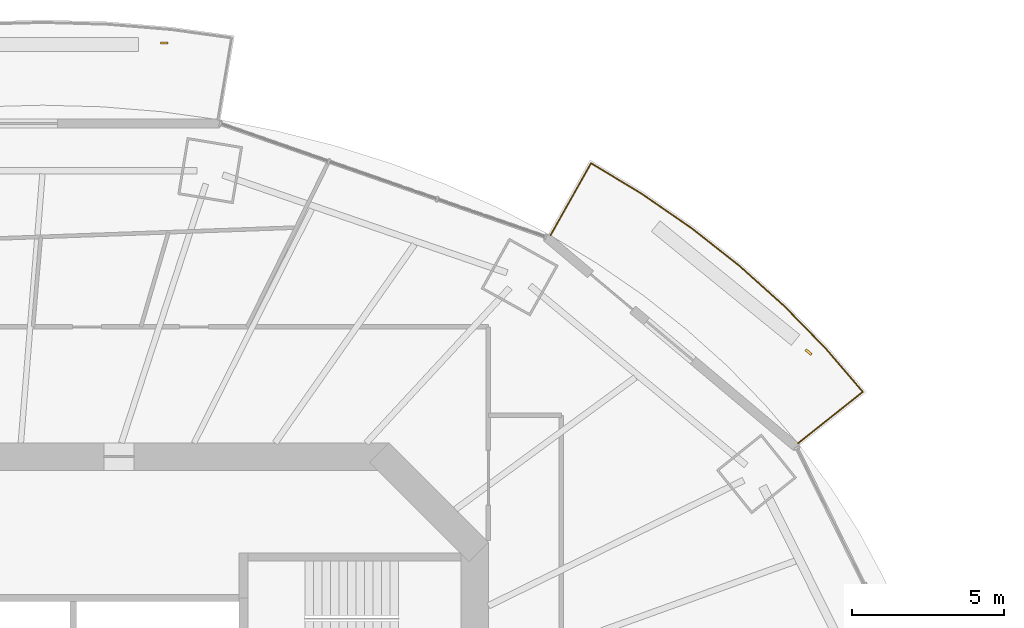
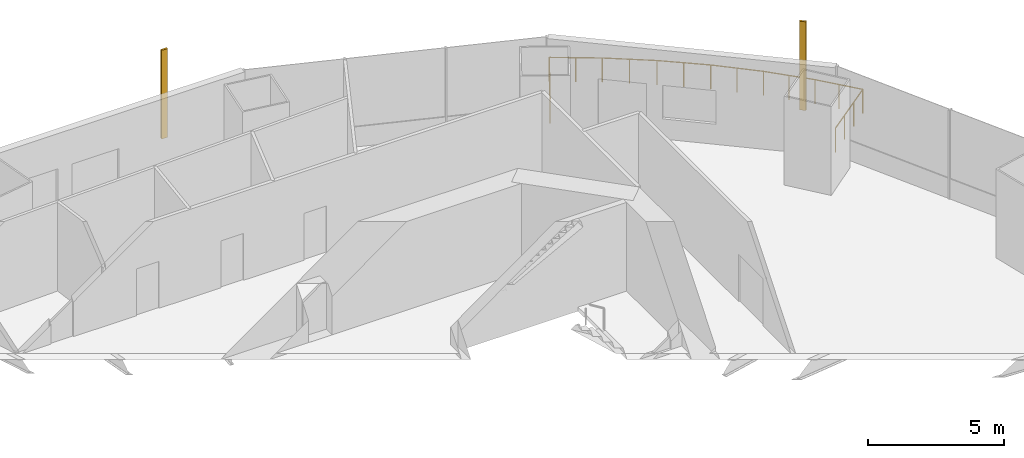
# One storey, part 18 of 19: 2 shading devices, 1 railing.
"""IFC4 building model written with IfcOpenShell, lengths in metres."""

from ifc_helpers import new_model, si_unit, direction, frame, origin, origin_2d, place, context, subcontext, project, spatial, rectangle, circle, extrude, material, material_profile, profile_set, type_object, element, save


model = new_model("IFC4")

# Units and contexts
model_context = context("Model", 3, precision=1e-05, world=origin(), true_north=direction((0.0, 1.0)))
body_context = subcontext(model_context, "Body", "Model", "MODEL_VIEW")
ifc_project = project(units=[si_unit("LENGTHUNIT", "METRE"), si_unit("AREAUNIT", "SQUARE_METRE"), si_unit("VOLUMEUNIT", "CUBIC_METRE"), si_unit("PLANEANGLEUNIT", "RADIAN"), si_unit("MASSUNIT", "GRAM", prefix="KILO")], contexts=[model_context])

# Site, building, storey
site_placement = place(None, origin())
site = spatial("IfcSite", under=ifc_project, at=site_placement, CompositionType="ELEMENT")
building_placement = place(site_placement, origin())
building = spatial("IfcBuilding", under=site, at=building_placement, Name="Marenthal Gate Tower", CompositionType="ELEMENT")
storey_placement = place(building_placement, frame((0.0, 0.0, 248.199951171875)))
storey = spatial("IfcBuildingStorey", under=building, at=storey_placement, Name="L55", CompositionType="ELEMENT", Elevation=248.199951171875)

# Railing
ifc_material_1 = material(Name="Stainless steel", Category="steel")
railing_type = type_object("IfcRailingType", Name="Balcony guard 1100", PredefinedType="GUARDRAIL", material=ifc_material_1)
railing_placement = place(storey_placement, frame((18.494140625, 20.275634765625, 0.0)))
element("IfcRailing", 1, at=railing_placement, inside=storey, type_object=railing_type, Name="Balcony guard L55 bay 2", PredefinedType="GUARDRAIL", context=body_context, shape_type="SweptSolid", body=[
    extrude(circle(Radius=0.02392578125, at=origin_2d()), frame((0.0, 0.0, 1.076171875), z_axis=(0.489935400912, 0.871634477681, -0.014718704112), x_axis=(-0.87172890858, 0.489988479401, 0.0)), (0.0, 0.0, 1.0), 2.72021484375),
    extrude(circle(Radius=0.02392578125, at=origin_2d()), frame((1.332763671875, 2.37109375, 1.0361328125), z_axis=(0.855927117695, -0.517096479581, 0.0), x_axis=(0.517096479581, 0.855927117695, 0.0)), (0.0, 0.0, 1.0), 1.94482421875),
    extrude(circle(Radius=0.02392578125, at=origin_2d()), frame((2.997314453125, 1.365478515625, 1.0361328125), z_axis=(0.823079547335, -0.567926103256, 0.0), x_axis=(0.567926103256, 0.823079547335, 0.0)), (0.0, 0.0, 1.0), 2.00830078125),
    extrude(circle(Radius=0.02392578125, at=origin_2d()), frame((4.650390625, 0.224853515625, 1.0361328125), z_axis=(0.785663114819, -0.618654564367, 0.0), x_axis=(0.618654564367, 0.785663114819, 0.0)), (0.0, 0.0, 1.0), 1.992431640625),
    extrude(circle(Radius=0.02392578125, at=origin_2d()), frame((6.2158203125, -1.0078125, 1.0361328125), z_axis=(0.744196610974, -0.667960630737, 0.0), x_axis=(0.667960630737, 0.744196610974, 0.0)), (0.0, 0.0, 1.0), 1.975830078125),
    extrude(circle(Radius=0.02392578125, at=origin_2d()), frame((7.686279296875, -2.32763671875, 1.0361328125), z_axis=(0.698521536326, -0.715589032398, 0.0), x_axis=(0.715589032398, 0.698521536326, 0.0)), (0.0, 0.0, 1.0), 1.959716796875),
    extrude(circle(Radius=0.02392578125, at=origin_2d()), frame((9.05517578125, -3.72998046875, 1.0361328125), z_axis=(0.649809223688, -0.760097344298, 0.0), x_axis=(0.760097344298, 0.649809223688, 0.0)), (0.0, 0.0, 1.0), 1.864013671875),
    extrude(circle(Radius=0.02392578125, at=origin_2d()), frame((10.266357421875, -5.146728515625, 1.0361328125), z_axis=(-0.783055581805, -0.621777543925, 0.014718752483), x_axis=(0.621844906334, -0.783140416826, 0.0)), (0.0, 0.0, 1.0), 2.72021484375),
    extrude(circle(Radius=0.02099609375, at=origin_2d()), origin(), (0.0, 0.0, 1.0), 1.052001953125),
    extrude(circle(Radius=0.02099609375, at=origin_2d()), frame((0.4443359375, 0.790283203125, -0.013427734375)), (0.0, 0.0, 1.0), 1.052001953125),
    extrude(circle(Radius=0.02099609375, at=origin_2d()), frame((0.888427734375, 1.580810546875, -0.026611328125)), (0.0, 0.0, 1.0), 1.052001953125),
    extrude(circle(Radius=0.02099609375, at=origin_2d()), frame((1.332763671875, 2.37109375, -0.0400390625)), (0.0, 0.0, 1.0), 1.052001953125),
    extrude(circle(Radius=0.02099609375, at=origin_2d()), frame((2.1650390625, 1.8681640625, -0.0400390625)), (0.0, 0.0, 1.0), 1.052001953125),
    extrude(circle(Radius=0.02099609375, at=origin_2d()), frame((2.997314453125, 1.365478515625, -0.0400390625)), (0.0, 0.0, 1.0), 1.052001953125),
    extrude(circle(Radius=0.02099609375, at=origin_2d()), frame((3.82373046875, 0.795166015625, -0.0400390625)), (0.0, 0.0, 1.0), 1.052001953125),
    extrude(circle(Radius=0.02099609375, at=origin_2d()), frame((4.650390625, 0.224853515625, -0.0400390625)), (0.0, 0.0, 1.0), 1.052001953125),
    extrude(circle(Radius=0.02099609375, at=origin_2d()), frame((5.43310546875, -0.3916015625, -0.0400390625)), (0.0, 0.0, 1.0), 1.052001953125),
    extrude(circle(Radius=0.02099609375, at=origin_2d()), frame((6.2158203125, -1.0078125, -0.0400390625)), (0.0, 0.0, 1.0), 1.052001953125),
    extrude(circle(Radius=0.02099609375, at=origin_2d()), frame((6.951171875, -1.667724609375, -0.0400390625)), (0.0, 0.0, 1.0), 1.052001953125),
    extrude(circle(Radius=0.02099609375, at=origin_2d()), frame((7.686279296875, -2.32763671875, -0.0400390625)), (0.0, 0.0, 1.0), 1.052001953125),
    extrude(circle(Radius=0.02099609375, at=origin_2d()), frame((8.37060546875, -3.02880859375, -0.0400390625)), (0.0, 0.0, 1.0), 1.052001953125),
    extrude(circle(Radius=0.02099609375, at=origin_2d()), frame((9.05517578125, -3.72998046875, -0.0400390625)), (0.0, 0.0, 1.0), 1.052001953125),
    extrude(circle(Radius=0.02099609375, at=origin_2d()), frame((9.66064453125, -4.4384765625, -0.0400390625)), (0.0, 0.0, 1.0), 1.052001953125),
    extrude(circle(Radius=0.02099609375, at=origin_2d()), frame((10.266357421875, -5.146728515625, -0.0400390625)), (0.0, 0.0, 1.0), 1.052001953125),
    extrude(circle(Radius=0.02099609375, at=origin_2d()), frame((9.556396484375, -5.71044921875, -0.026611328125)), (0.0, 0.0, 1.0), 1.052001953125),
    extrude(circle(Radius=0.02099609375, at=origin_2d()), frame((8.84619140625, -6.2744140625, -0.013427734375)), (0.0, 0.0, 1.0), 1.052001953125),
    extrude(circle(Radius=0.02099609375, at=origin_2d()), frame((8.13623046875, -6.838134765625, 0.0)), (0.0, 0.0, 1.0), 1.052001953125),
])

# Shading devices
ifc_material_2 = material(Name="Terracotta", Category="masonry")
ifc_material_profile = material_profile(ifc_material_2, rectangle(XDim=0.25, YDim=0.080078125, at=origin_2d()), Name="Terracotta baguette 250x80")
ifc_profile_set = profile_set([ifc_material_profile], Name="Terracotta")
shading_device_type = type_object("IfcShadingDeviceType", Name="Terracotta BAGUETTE SCREEN 250x80", PredefinedType="USERDEFINED", material=ifc_profile_set)
for number, where, z_axis, x_axis, name in (
    (2, (26.976806640625, 16.435302734375, -0.0400390625), (0.0, 0.0, 1.0), (-0.765398416376, 0.643556729597, 0.0), "Terracotta BAGUETTE L55 bay 2L"),
    (3, (5.799560546875, 26.597900390625, -0.0400390625), (0.0, 0.0, 1.0), (-1.0, 0.0, 0.0), "Terracotta BAGUETTE L55 bay 4L"),
):
    element("IfcShadingDevice", number, at=place(storey_placement, frame(where, z_axis=z_axis, x_axis=x_axis)), inside=storey, type_object=shading_device_type, Name=name, ObjectType="BAGUETTE SCREEN", PredefinedType="USERDEFINED", context=body_context, shape_type="SweptSolid", body=[
        extrude(rectangle(XDim=0.25, YDim=0.080078125, at=origin_2d()), origin(), (0.0, 0.0, 1.0), 3.969970703125),
    ])

save(model, "model.ifc")
